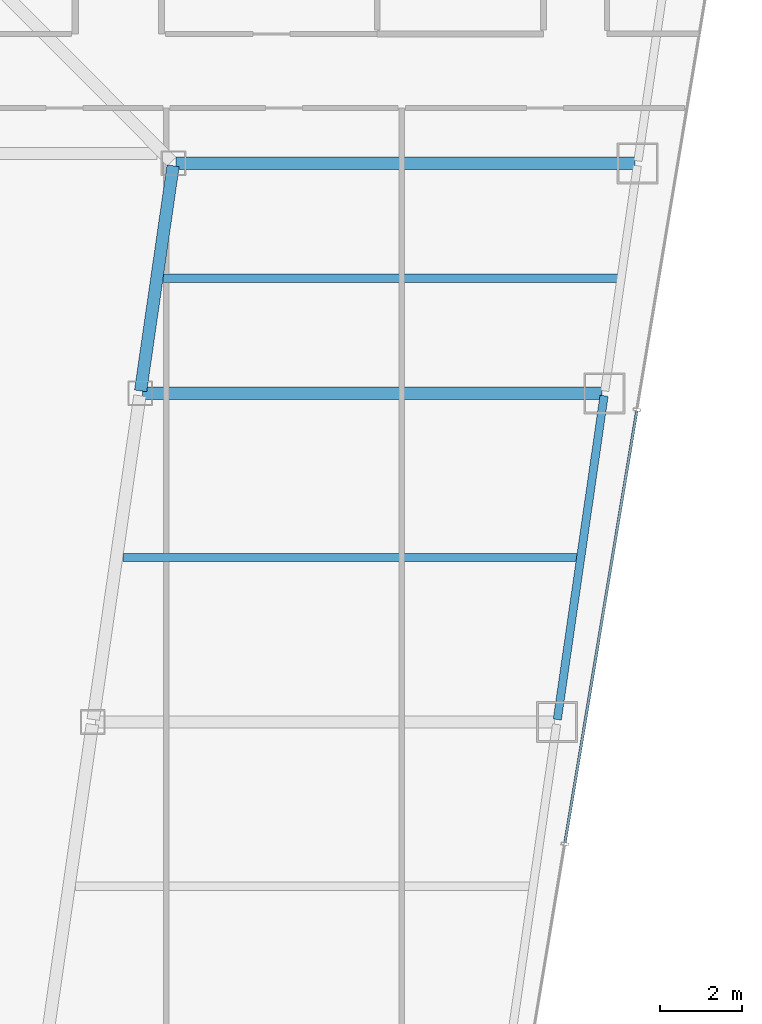
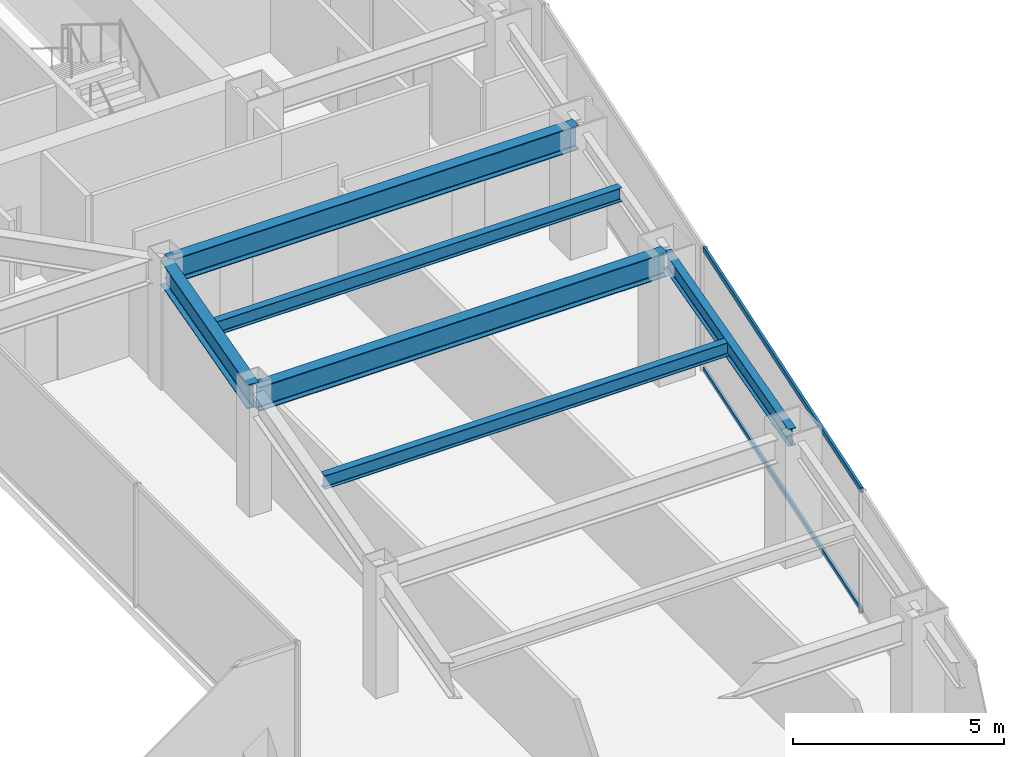
# One storey, part 18 of 38: 6 beams, 2 members, 1 element without a shape of its own.
"""IFC4 building model written with IfcOpenShell, lengths in metres."""

from ifc_helpers import new_model, si_unit, direction, frame, origin, origin_2d, place, context, subcontext, project, spatial, hollow_rectangle, i_section, extrude, material, material_profile, profile_set, type_object, element, aggregate, save


model = new_model("IFC4")

# Units and contexts
model_context = context("Model", 3, precision=1e-05, world=origin(), true_north=direction((0.0, 1.0)))
body_context = subcontext(model_context, "Body", "Model", "MODEL_VIEW")
ifc_project = project(units=[si_unit("LENGTHUNIT", "METRE"), si_unit("AREAUNIT", "SQUARE_METRE"), si_unit("VOLUMEUNIT", "CUBIC_METRE"), si_unit("PLANEANGLEUNIT", "RADIAN"), si_unit("MASSUNIT", "GRAM", prefix="KILO")], contexts=[model_context])

# Site, building, storey
site_placement = place(None, origin())
site = spatial("IfcSite", under=ifc_project, at=site_placement, CompositionType="ELEMENT")
building_placement = place(site_placement, origin())
building = spatial("IfcBuilding", under=site, at=building_placement, Name="Saevonmaru Cultural Tower", CompositionType="ELEMENT")
storey_placement = place(building_placement, frame((0.0, 0.0, 133.39990234375)))
storey = spatial("IfcBuildingStorey", under=building, at=storey_placement, Name="L28", CompositionType="ELEMENT", Elevation=133.39990234375)

# Beams
ifc_material_1 = material(Name="Steel SM355", Category="steel")
ifc_material_profile_1 = material_profile(ifc_material_1, i_section(OverallWidth=0.300048828125, OverallDepth=0.699951171875, WebThickness=0.012939453125, FlangeThickness=0.02392578125, FilletRadius=0.02587890625, at=origin_2d()), Name="H-700x300x13x24")
ifc_profile_set_1 = profile_set([ifc_material_profile_1], Name="Steel SM355")
beam_type_1 = type_object("IfcBeamType", Name="BM-G-H700", PredefinedType="BEAM", material=ifc_profile_set_1)
beam_1_placement = place(storey_placement, frame((40.3916015625, 32.059326171875, 3.2001953125), z_axis=(0.142964121327, 0.989727871697, 0.0), x_axis=(-0.989727871697, 0.142964121327, 0.0)))
element("IfcBeam", 1, at=beam_1_placement, inside=storey, type_object=beam_type_1, Name="L28 East Atrium Girder 4", PredefinedType="BEAM", context=body_context, shape_type="SweptSolid", body=[
    extrude(i_section(OverallWidth=0.300048828125, OverallDepth=0.699951171875, WebThickness=0.012939453125, FlangeThickness=0.02392578125, FilletRadius=0.02587890625, at=origin_2d()), origin(), (0.0, 0.0, 1.0), 5.5380859375),
])
for number, where, z_axis, x_axis, name in (
    (2, (40.443115234375, 32.0, 3.2001953125), (1.0, 0.0, 0.0), (0.0, 1.0, 0.0), "L28 East Wing Transverse Girder 4"),
    (3, (41.251953125, 37.60009765625, 3.2001953125), (1.0, 0.0, 0.0), (0.0, 1.0, 0.0), "L28 East Wing Transverse Girder 5"),
):
    element("IfcBeam", number, at=place(storey_placement, frame(where, z_axis=z_axis, x_axis=x_axis)), inside=storey, type_object=beam_type_1, Name=name, PredefinedType="BEAM", context=body_context, shape_type="SweptSolid", body=[
        extrude(i_section(OverallWidth=0.300048828125, OverallDepth=0.699951171875, WebThickness=0.012939453125, FlangeThickness=0.02392578125, FilletRadius=0.02587890625, at=origin_2d()), origin(), (0.0, 0.0, 1.0), 11.179931640625),
    ])
ifc_material_profile_2 = material_profile(ifc_material_1, i_section(OverallWidth=0.199951171875, OverallDepth=0.39990234375, WebThickness=0.008056640625, FlangeThickness=0.012939453125, FilletRadius=0.01611328125, at=origin_2d()), Name="H-400x200x8x13")
ifc_profile_set_2 = profile_set([ifc_material_profile_2], Name="Steel SM355")
beam_type_2 = type_object("IfcBeamType", Name="BM-J-H400", PredefinedType="JOIST", material=ifc_profile_set_2)
for number, where, z_axis, x_axis, name in (
    (4, (39.96337890625, 28.0, 3.35009765625), (1.0, 0.0, 0.0), (0.0, 1.0, 0.0), "L28 East Wing Floor Joist 3"),
    (5, (40.945556640625, 34.800048828125, 3.35009765625), (1.0, 0.0, 0.0), (0.0, 1.0, 0.0), "L28 East Wing Floor Joist 4"),
):
    element("IfcBeam", number, at=place(storey_placement, frame(where, z_axis=z_axis, x_axis=x_axis)), inside=storey, type_object=beam_type_2, Name=name, PredefinedType="JOIST", context=body_context, shape_type="SweptSolid", body=[
        extrude(i_section(OverallWidth=0.199951171875, OverallDepth=0.39990234375, WebThickness=0.008056640625, FlangeThickness=0.012939453125, FilletRadius=0.01611328125, at=origin_2d()), origin(), (0.0, 0.0, 1.0), 11.08203125),
    ])
ifc_material_profile_3 = material_profile(ifc_material_1, i_section(OverallWidth=0.199951171875, OverallDepth=0.5, WebThickness=0.010009765625, FlangeThickness=0.01611328125, FilletRadius=0.02001953125, at=origin_2d()), Name="H-500x200x10x16")
ifc_profile_set_3 = profile_set([ifc_material_profile_3], Name="Steel SM355")
beam_type_3 = type_object("IfcBeamType", Name="BM-SP-H500", PredefinedType="SPANDREL", material=ifc_profile_set_3)
beam_2_placement = place(storey_placement, frame((50.53662109375, 24.059326171875, 3.300048828125), z_axis=(0.142871999001, 0.989741174197, 0.0), x_axis=(-0.989741174197, 0.142871999001, 0.0)))
element("IfcBeam", 6, at=beam_2_placement, inside=storey, type_object=beam_type_3, Name="L28 East Splayed Spandrel 3", PredefinedType="SPANDREL", context=body_context, shape_type="SweptSolid", body=[
    extrude(i_section(OverallWidth=0.199951171875, OverallDepth=0.5, WebThickness=0.010009765625, FlangeThickness=0.01611328125, FilletRadius=0.02001953125, at=origin_2d()), origin(), (0.0, 0.0, 1.0), 7.963134765625),
])

# Curtain wall, members
ifc_material_2 = material(Name="Satin Bronze Anodised Aluminium", Category="aluminium")
curtain_wall_type = type_object("IfcCurtainWallType", Name="CW-TYP-A", PredefinedType="NOTDEFINED", material=ifc_material_2)
curtain_wall_placement = place(storey_placement, origin())
curtain_wall = element("IfcCurtainWall", 7, at=curtain_wall_placement, inside=storey, type_object=curtain_wall_type, Name="L28 Unitised Curtain Wall E8", PredefinedType="NOTDEFINED")
ifc_material_profile_4 = material_profile(ifc_material_2, hollow_rectangle(XDim=0.06494140625, YDim=0.14990234375, WallThickness=0.00390625, at=origin_2d()), Name="ALU-TRAN-150x65x4")
ifc_profile_set_4 = profile_set([ifc_material_profile_4], Name="Satin Bronze Anodised Aluminium")
member_type = type_object("IfcMemberType", Name="TR-CW-150x65", PredefinedType="USERDEFINED", material=ifc_profile_set_4)
member_1_placement = place(storey_placement, frame((50.7236328125, 21.061767578125, 0.03271484375), z_axis=(0.163993787386, 0.98646137162, 0.0), x_axis=(-0.98646137162, 0.163993787386, 0.0)))
member_1 = element("IfcMember", 8, at=member_1_placement, type_object=member_type, Name="CW-TW-L28-E8 transom 2.1", ObjectType="TRANSOM", PredefinedType="USERDEFINED", context=body_context, shape_type="SweptSolid", body=[
    extrude(hollow_rectangle(XDim=0.06494140625, YDim=0.14990234375, WallThickness=0.00390625, at=origin_2d()), origin(), (0.0, 0.0, 1.0), 10.650390625),
])
member_2_placement = place(storey_placement, frame((50.7236328125, 21.061767578125, 3.517578125), z_axis=(0.163993787386, 0.98646137162, 0.0), x_axis=(-0.98646137162, 0.163993787386, 0.0)))
member_2 = element("IfcMember", 9, at=member_2_placement, type_object=member_type, Name="CW-TW-L28-E8 transom 2.2", ObjectType="TRANSOM", PredefinedType="USERDEFINED", context=body_context, shape_type="SweptSolid", body=[
    extrude(hollow_rectangle(XDim=0.06494140625, YDim=0.14990234375, WallThickness=0.00390625, at=origin_2d()), origin(), (0.0, 0.0, 1.0), 10.650390625),
])
aggregate(curtain_wall, [member_1, member_2])

save(model, "model.ifc")
